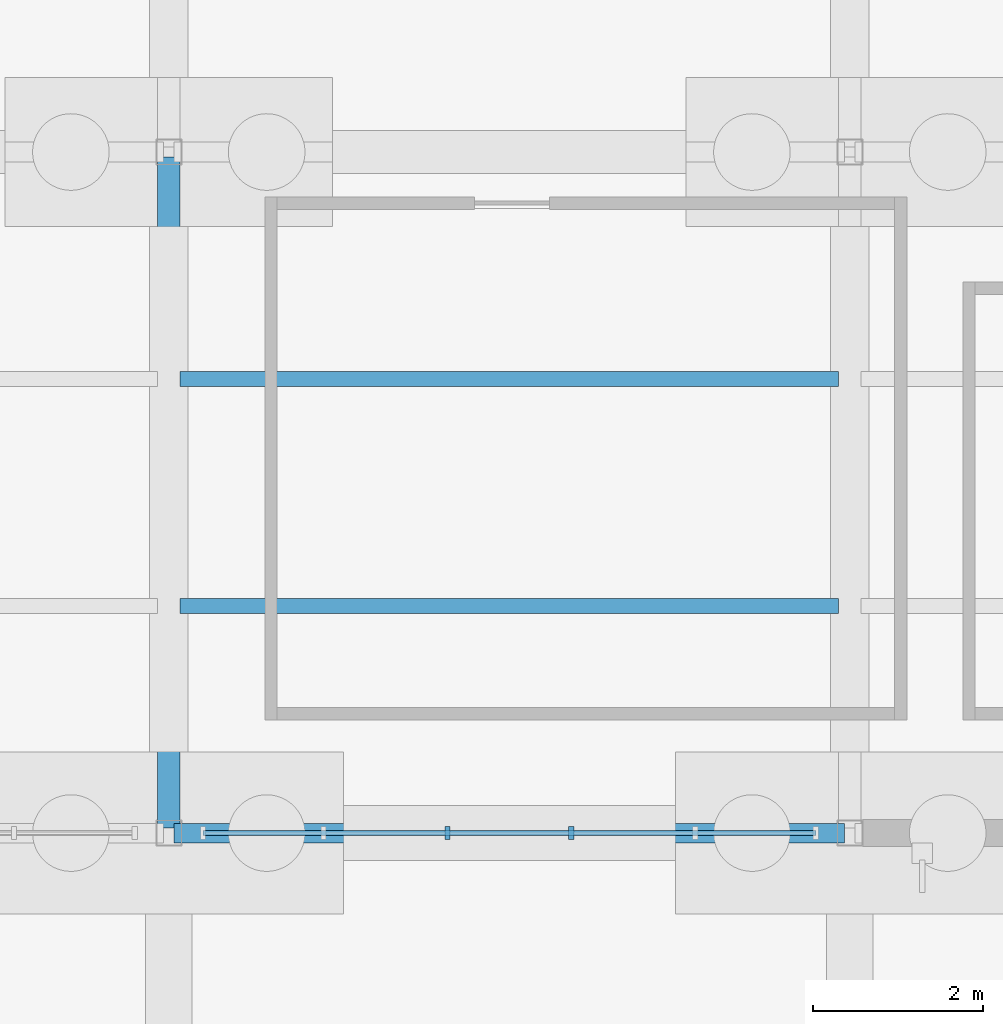
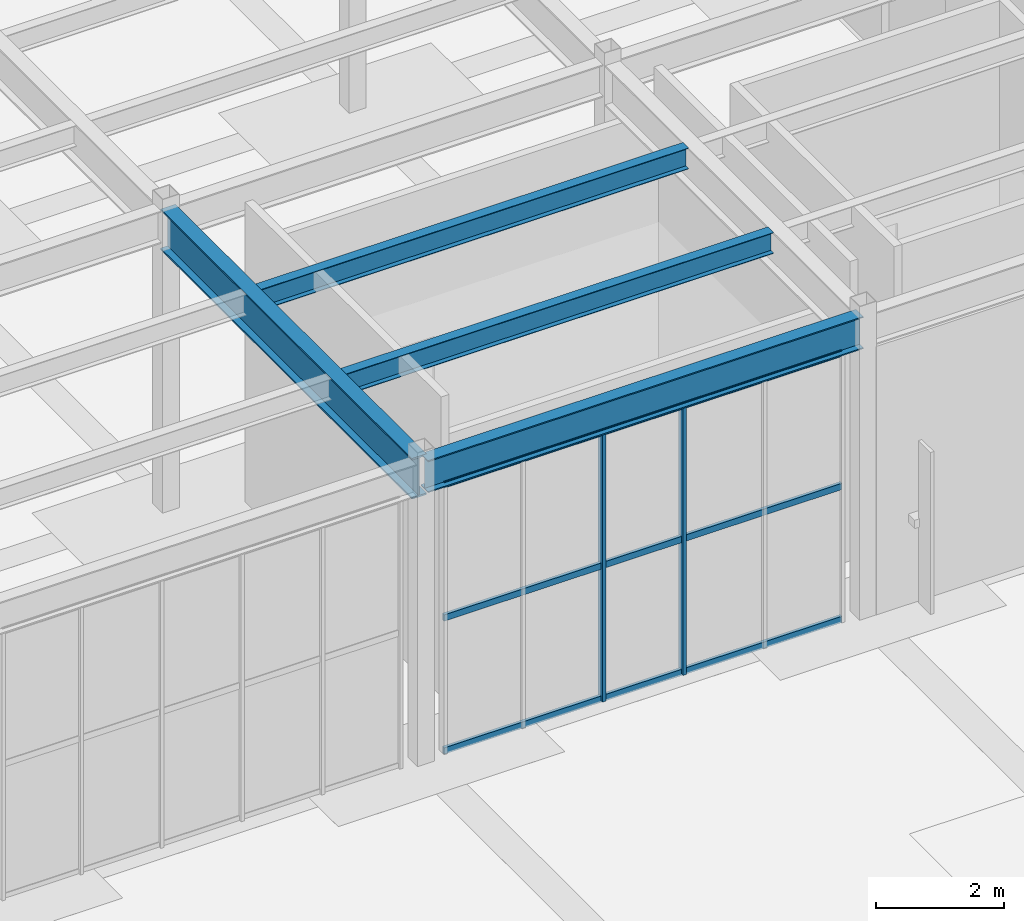
# One storey, part 44 of 82: 5 members, 4 beams, 1 element without a shape of its own.
"""IFC4 building model written with IfcOpenShell, lengths in metres."""

import ifcopenshell
import ifcopenshell.guid

model = None  # the IFC model being written
_history = None  # IfcOwnerHistory: only IFC2X3 demands one
_inside = {}  # id of a spatial element -> (the spatial element, [elements in it])
_under = {}  # id of a project, library or spatial element -> (it, [spatial elements below it])
_declared = {}  # id of a project -> (the project, [libraries it declares])
_typed = {}  # id of a type object -> (the type object, [elements of that type])
_made_of = {}  # id of a material, layer set ... -> (it, [elements and type objects made of it])


def new_model(schema):
    """Start an empty IFC model of exactly this schema.

    Asked for "IFC4X3", IfcOpenShell would pick the latest addendum, in which some entities
    have other attributes; the version numbers below select the first issue.
    IFC2X3 requires an IfcOwnerHistory on every rooted entity: one is made here for all.
    """
    global model, _history
    if schema == "IFC4X3":
        model = ifcopenshell.file(schema_version=(4, 3, 0, 0))
    else:
        model = ifcopenshell.file(schema=schema)
    _inside.clear()
    _under.clear()
    _declared.clear()
    _typed.clear()
    _made_of.clear()
    _history = None
    if model.schema == "IFC2X3":
        org = make("IfcOrganization", Name="unknown")
        user = make(
            "IfcPersonAndOrganization",
            ThePerson=make("IfcPerson", FamilyName="unknown"),
            TheOrganization=org,
        )
        app = make(
            "IfcApplication",
            ApplicationDeveloper=org,
            Version="unknown",
            ApplicationFullName="unknown",
            ApplicationIdentifier="unknown",
        )
        _history = make(
            "IfcOwnerHistory",
            OwningUser=user,
            OwningApplication=app,
            ChangeAction="ADDED",
            CreationDate=0,
        )
    return model


def make(cls, **values):
    """One entity of the class cls with the attributes given. An attribute that is None is left unset."""
    return model.create_entity(
        cls, **{name: value for name, value in values.items() if value is not None}
    )


def rooted(cls, **values):
    """An entity with a GlobalId (a new one), such as an element, a storey or a relation."""
    return make(cls, GlobalId=ifcopenshell.guid.new(), OwnerHistory=_history, **values)


def si_unit(unit_type, name, prefix=None):
    """IfcSIUnit, for example si_unit("LENGTHUNIT", "METRE", prefix="MILLI")."""
    return make("IfcSIUnit", UnitType=unit_type, Prefix=prefix, Name=name)


def assignment(units):
    """IfcUnitAssignment: the units of a project."""
    return None if units is None else make("IfcUnitAssignment", Units=units)


def point(xyz):
    """IfcCartesianPoint."""
    return None if xyz is None else make("IfcCartesianPoint", Coordinates=xyz)


def direction(xyz):
    """IfcDirection."""
    return None if xyz is None else make("IfcDirection", DirectionRatios=xyz)


def frame(location, z_axis=None, x_axis=None):
    """IfcAxis2Placement3D, a coordinate frame: its origin and axes. An axis left out is left unset."""
    return make(
        "IfcAxis2Placement3D",
        Location=point(location),
        Axis=direction(z_axis),
        RefDirection=direction(x_axis),
    )


def frame_2d(location, x_axis=None):
    """IfcAxis2Placement2D, a coordinate frame in the plane: its origin and x axis."""
    return make(
        "IfcAxis2Placement2D", Location=point(location), RefDirection=direction(x_axis)
    )


def origin():
    """The frame at (0, 0, 0) with its axes left unset."""
    return frame((0.0, 0.0, 0.0))


def origin_2d():
    """The frame at (0, 0) in the plane with its x axis left unset."""
    return frame_2d((0.0, 0.0))


def place(relative_to, where):
    """IfcLocalPlacement: puts the frame where relative to a parent placement (None: the world)."""
    return make(
        "IfcLocalPlacement", PlacementRelTo=relative_to, RelativePlacement=where
    )


def context(
    kind, dimensions, precision=None, world=None, true_north=None, identifier=None
):
    """IfcGeometricRepresentationContext, for example the 3D "Model" context."""
    return make(
        "IfcGeometricRepresentationContext",
        ContextIdentifier=identifier,
        ContextType=kind,
        CoordinateSpaceDimension=dimensions,
        Precision=precision,
        WorldCoordinateSystem=world,
        TrueNorth=true_north,
    )


def subcontext(parent, identifier, kind, view, scale=None):
    """IfcGeometricRepresentationSubContext, for example "Body" below "Model"."""
    return make(
        "IfcGeometricRepresentationSubContext",
        ContextIdentifier=identifier,
        ContextType=kind,
        ParentContext=parent,
        TargetScale=scale,
        TargetView=view,
    )


def project(units=None, contexts=None):
    """IfcProject with its units and contexts."""
    return rooted(
        "IfcProject",
        Name="project",
        RepresentationContexts=contexts,
        UnitsInContext=assignment(units),
    )


def spatial(cls, under=None, at=None, **own):
    """A site, building, storey or space (cls), placed at a placement, below another one or the project."""
    s = rooted(cls, ObjectPlacement=at, **own)
    if under is not None:
        _under.setdefault(under.id(), (under, []))[1].append(s)
    return s


def profile(cls, at=None, kind="AREA", **sizes):
    """A parametric profile (cls). Its sizes go by their IFC names, for example OverallWidth=200.0."""
    return make(cls, ProfileType=kind, Position=at, **sizes)


def rectangle(**sizes):
    """IfcRectangleProfileDef."""
    return profile("IfcRectangleProfileDef", **sizes)


def i_section(**sizes):
    """IfcIShapeProfileDef."""
    return profile("IfcIShapeProfileDef", **sizes)


def extrude(swept, where, along, depth):
    """IfcExtrudedAreaSolid: the profile swept, set in the frame where, extruded along a direction by depth."""
    return make(
        "IfcExtrudedAreaSolid",
        SweptArea=swept,
        Position=where,
        ExtrudedDirection=direction(along),
        Depth=depth,
    )


def shape(context_of_items, identifier, shape_type, items):
    """IfcShapeRepresentation: the items that make up one representation, for example the "Body"."""
    return make(
        "IfcShapeRepresentation",
        ContextOfItems=context_of_items,
        RepresentationIdentifier=identifier,
        RepresentationType=shape_type,
        Items=items,
    )


def material(Name=None, Category=None):
    """IfcMaterial."""
    return make("IfcMaterial", Name=Name, Category=Category)


def material_profile(
    of_material, cross_section, Name=None, Category=None, Priority=None
):
    """IfcMaterialProfile: a cross section and its material."""
    return make(
        "IfcMaterialProfile",
        Name=Name,
        Material=of_material,
        Profile=cross_section,
        Priority=Priority,
        Category=Category,
    )


def profile_set(profiles, Name=None, composite=None):
    """IfcMaterialProfileSet."""
    return make(
        "IfcMaterialProfileSet",
        Name=Name,
        MaterialProfiles=profiles,
        CompositeProfile=composite,
    )


def made_of(thing, what):
    """Note that an element or type object is made of a material, layer set ...; save() writes the relation."""
    if what is not None:
        _made_of.setdefault(what.id(), (what, []))[1].append(thing)
    return thing


def type_object(cls, material=None, **own):
    """A type object (cls), such as IfcWallType, which elements share."""
    return made_of(rooted(cls, **own), material)


def element(
    cls,
    number,
    at=None,
    inside=None,
    cuts=None,
    type_object=None,
    material=None,
    context=None,
    identifier="Body",
    shape_type=None,
    held_by="IfcProductDefinitionShape",
    body=None,
    shapes=None,
    **own,
):
    """One element of the class cls, such as IfcWall. Its Tag is "e" and its number.

    at: its placement. inside: the storey or other place that contains it. cuts: it is an
    opening in that element (IfcRelVoidsElement). A single representation is given by context,
    identifier, shape_type and body (its items); several are given by shapes. held_by: the class
    of the entity that holds the representations. save() writes the other relations.
    """
    e = rooted(cls, Tag="e%d" % number, ObjectPlacement=at, **own)
    if body is not None:
        shapes = [shape(context, identifier, shape_type, body)]
    if shapes is not None:
        e.Representation = make(held_by, Representations=shapes)
    if inside is not None:
        _inside.setdefault(inside.id(), (inside, []))[1].append(e)
    if cuts is not None:
        rooted(
            "IfcRelVoidsElement", RelatingBuildingElement=cuts, RelatedOpeningElement=e
        )
    if type_object is not None:
        _typed.setdefault(type_object.id(), (type_object, []))[1].append(e)
    return made_of(e, material)


def aggregate(whole, parts):
    """IfcRelAggregates: a whole, such as a stair, and the parts it consists of."""
    return rooted("IfcRelAggregates", RelatingObject=whole, RelatedObjects=parts)


def save(model, path):
    """Write the relations noted so far, then the file.

    IfcRelAggregates (storeys below a building ...), IfcRelContainedInSpatialStructure (elements
    in a storey), IfcRelDefinesByType, IfcRelAssociatesMaterial and IfcRelDeclares: one each for
    every whole, place, type object, material and project.
    """
    for whole, parts in _under.values():
        aggregate(whole, parts)
    for where, things in _inside.values():
        rooted(
            "IfcRelContainedInSpatialStructure",
            RelatedElements=things,
            RelatingStructure=where,
        )
    for kind, things in _typed.values():
        rooted("IfcRelDefinesByType", RelatedObjects=things, RelatingType=kind)
    for what, things in _made_of.values():
        rooted("IfcRelAssociatesMaterial", RelatedObjects=things, RelatingMaterial=what)
    for by, libraries in _declared.values():
        rooted("IfcRelDeclares", RelatingContext=by, RelatedDefinitions=libraries)
    model.write(path)


model = new_model("IFC4")

# Units and contexts
model_context = context("Model", 3, precision=1e-05, world=origin(), true_north=direction((0.0, 1.0)))
body_context = subcontext(model_context, "Body", "Model", "MODEL_VIEW")
ifc_project = project(units=[si_unit("LENGTHUNIT", "METRE"), si_unit("AREAUNIT", "SQUARE_METRE"), si_unit("VOLUMEUNIT", "CUBIC_METRE"), si_unit("PLANEANGLEUNIT", "RADIAN"), si_unit("MASSUNIT", "GRAM", prefix="KILO")], contexts=[model_context])

# Site, building, storey
site_placement = place(None, origin())
site = spatial("IfcSite", under=ifc_project, at=site_placement, CompositionType="ELEMENT")
building_placement = place(site_placement, origin())
building = spatial("IfcBuilding", under=site, at=building_placement, Name="Drelvath Fold Interchange", CompositionType="ELEMENT")
storey_placement = place(building_placement, origin())
storey = spatial("IfcBuildingStorey", under=building, at=storey_placement, Name="L00", CompositionType="ELEMENT", Elevation=0.0)

# Beams
ifc_material_1 = material(Name="Steel ASTM A992 Grade 50", Category="steel")
ifc_material_profile_1 = material_profile(ifc_material_1, i_section(OverallWidth=0.177978515625, OverallDepth=0.403076171875, WebThickness=0.007568359375, FlangeThickness=0.010986328125, at=origin_2d()), Name="W16X36")
ifc_profile_set_1 = profile_set([ifc_material_profile_1], Name="Steel ASTM A992 Grade 50")
beam_type_1 = type_object("IfcBeamType", Name="BM-W16X36", PredefinedType="JOIST", material=ifc_profile_set_1)
for number, where, z_axis, x_axis, name in (
    (1, (126.131103515625, 77.6669921875, 5.55810546875), (1.0, 0.0, 0.0), (0.0, 1.0, 0.0), "L00 Secondary floor joist BM-W16X36"),
    (2, (126.131103515625, 80.3330078125, 5.55810546875), (1.0, 0.0, 0.0), (0.0, 1.0, 0.0), "L00 Secondary floor joist BM-W16X36"),
):
    element("IfcBeam", number, at=place(storey_placement, frame(where, z_axis=z_axis, x_axis=x_axis)), inside=storey, type_object=beam_type_1, Name=name, PredefinedType="JOIST", context=body_context, shape_type="SweptSolid", body=[
        extrude(i_section(OverallWidth=0.177978515625, OverallDepth=0.403076171875, WebThickness=0.007568359375, FlangeThickness=0.010986328125, at=origin_2d()), origin(), (0.0, 0.0, 1.0), 7.73779296875),
    ])
ifc_material_profile_2 = material_profile(ifc_material_1, i_section(OverallWidth=0.22998046875, OverallDepth=0.616943359375, WebThickness=0.01318359375, FlangeThickness=0.022216796875, at=origin_2d()), Name="W24X94")
ifc_profile_set_2 = profile_set([ifc_material_profile_2], Name="Steel ASTM A992 Grade 50")
beam_type_2 = type_object("IfcBeamType", Name="BM-W24X94", PredefinedType="BEAM", material=ifc_profile_set_2)
beam_1_placement = place(storey_placement, frame((126.06005859375, 75.0, 5.450927734375), z_axis=(1.0, 0.0, 0.0), x_axis=(0.0, 1.0, 0.0)))
element("IfcBeam", 3, at=beam_1_placement, inside=storey, type_object=beam_type_2, Name="L00 Primary X girder BM-W24X94", PredefinedType="BEAM", context=body_context, shape_type="SweptSolid", body=[
    extrude(i_section(OverallWidth=0.22998046875, OverallDepth=0.616943359375, WebThickness=0.01318359375, FlangeThickness=0.022216796875, at=origin_2d()), origin(), (0.0, 0.0, 1.0), 7.8798828125),
])
ifc_material_profile_3 = material_profile(ifc_material_1, i_section(OverallWidth=0.26611328125, OverallDepth=0.779052734375, WebThickness=0.0166015625, FlangeThickness=0.030029296875, at=origin_2d()), Name="W30X148")
ifc_profile_set_3 = profile_set([ifc_material_profile_3], Name="Steel ASTM A992 Grade 50")
beam_type_3 = type_object("IfcBeamType", Name="BM-W30X148", PredefinedType="BEAM", material=ifc_profile_set_3)
beam_2_placement = place(storey_placement, frame((126.0, 75.06005859375, 5.3701171875), z_axis=(0.0, 1.0, 0.0), x_axis=(-1.0, 0.0, 0.0)))
element("IfcBeam", 4, at=beam_2_placement, inside=storey, type_object=beam_type_3, Name="L00 Primary Y girder BM-W30X148", PredefinedType="BEAM", context=body_context, shape_type="SweptSolid", body=[
    extrude(i_section(OverallWidth=0.26611328125, OverallDepth=0.779052734375, WebThickness=0.0166015625, FlangeThickness=0.030029296875, at=origin_2d()), origin(), (0.0, 0.0, 1.0), 7.8798828125),
])

# Curtain wall, members
ifc_material_2 = material(Name="Anodized Aluminium 6063-T6", Category="aluminium")
curtain_wall_type = type_object("IfcCurtainWallType", Name="CW-CYC-500", PredefinedType="USERDEFINED", material=ifc_material_2)
curtain_wall_placement = place(storey_placement, origin())
curtain_wall = element("IfcCurtainWall", 5, at=curtain_wall_placement, inside=storey, type_object=curtain_wall_type, Name="Curtain wall CW-CYC-L00-S126", ObjectType="UNITISED CURTAIN WALL", PredefinedType="USERDEFINED")
ifc_material_profile_4 = material_profile(ifc_material_2, rectangle(XDim=0.06005859375, YDim=0.14990234375, at=origin_2d()), Name="AL-M 60x150")
ifc_profile_set_4 = profile_set([ifc_material_profile_4], Name="Anodized Aluminium 6063-T6")
member_type_1 = type_object("IfcMemberType", Name="ML-150", PredefinedType="MULLION", material=ifc_profile_set_4)
member_1_placement = place(storey_placement, frame((129.27197265625, 75.0, 0.0), z_axis=(0.0, 0.0, 1.0), x_axis=(1.0, 0.0, 0.0)))
member_1 = element("IfcMember", 6, at=member_1_placement, type_object=member_type_1, Name="CW-CYC-L00-S126 mullion 2", PredefinedType="MULLION", context=body_context, shape_type="SweptSolid", body=[
    extrude(rectangle(XDim=0.06005859375, YDim=0.14990234375, at=origin_2d()), origin(), (0.0, 0.0, 1.0), 5.14990234375),
])
member_2_placement = place(storey_placement, frame((130.72802734375, 75.0, 0.0), z_axis=(0.0, 0.0, 1.0), x_axis=(1.0, 0.0, 0.0)))
member_2 = element("IfcMember", 7, at=member_2_placement, type_object=member_type_1, Name="CW-CYC-L00-S126 mullion 3", PredefinedType="MULLION", context=body_context, shape_type="SweptSolid", body=[
    extrude(rectangle(XDim=0.06005859375, YDim=0.14990234375, at=origin_2d()), origin(), (0.0, 0.0, 1.0), 5.14990234375),
])
ifc_material_profile_5 = material_profile(ifc_material_2, rectangle(XDim=0.06005859375, YDim=0.1201171875, at=origin_2d()), Name="AL-T 60x120")
ifc_profile_set_5 = profile_set([ifc_material_profile_5], Name="Anodized Aluminium 6063-T6")
member_type_2 = type_object("IfcMemberType", Name="TR-120", PredefinedType="USERDEFINED", material=ifc_profile_set_5)
member_3_placement = place(storey_placement, frame((126.39990234375, 75.0, 0.030029296875), z_axis=(1.0, 0.0, 0.0), x_axis=(0.0, 1.0, 0.0)))
member_3 = element("IfcMember", 8, at=member_3_placement, type_object=member_type_2, Name="CW-CYC-L00-S126 transom 0", ObjectType="TRANSOM", PredefinedType="USERDEFINED", context=body_context, shape_type="SweptSolid", body=[
    extrude(rectangle(XDim=0.06005859375, YDim=0.1201171875, at=origin_2d()), origin(), (0.0, 0.0, 1.0), 7.2001953125),
])
member_4_placement = place(storey_placement, frame((126.39990234375, 75.0, 2.574951171875), z_axis=(1.0, 0.0, 0.0), x_axis=(0.0, 1.0, 0.0)))
member_4 = element("IfcMember", 9, at=member_4_placement, type_object=member_type_2, Name="CW-CYC-L00-S126 transom 1", ObjectType="TRANSOM", PredefinedType="USERDEFINED", context=body_context, shape_type="SweptSolid", body=[
    extrude(rectangle(XDim=0.06005859375, YDim=0.1201171875, at=origin_2d()), origin(), (0.0, 0.0, 1.0), 7.2001953125),
])
member_5_placement = place(storey_placement, frame((126.39990234375, 75.0, 5.1201171875), z_axis=(1.0, 0.0, 0.0), x_axis=(0.0, 1.0, 0.0)))
member_5 = element("IfcMember", 10, at=member_5_placement, type_object=member_type_2, Name="CW-CYC-L00-S126 transom 2", ObjectType="TRANSOM", PredefinedType="USERDEFINED", context=body_context, shape_type="SweptSolid", body=[
    extrude(rectangle(XDim=0.06005859375, YDim=0.1201171875, at=origin_2d()), origin(), (0.0, 0.0, 1.0), 7.2001953125),
])
aggregate(curtain_wall, [member_1, member_2, member_3, member_4, member_5])

save(model, "model.ifc")
